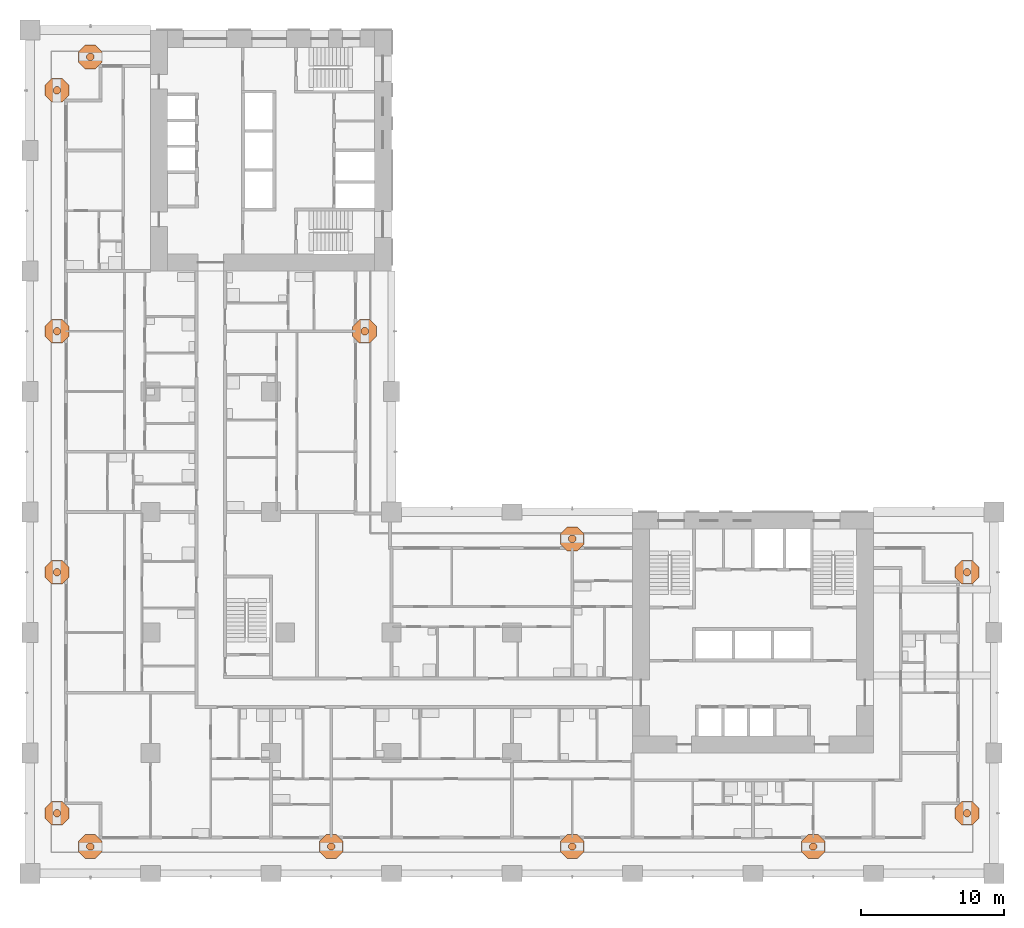
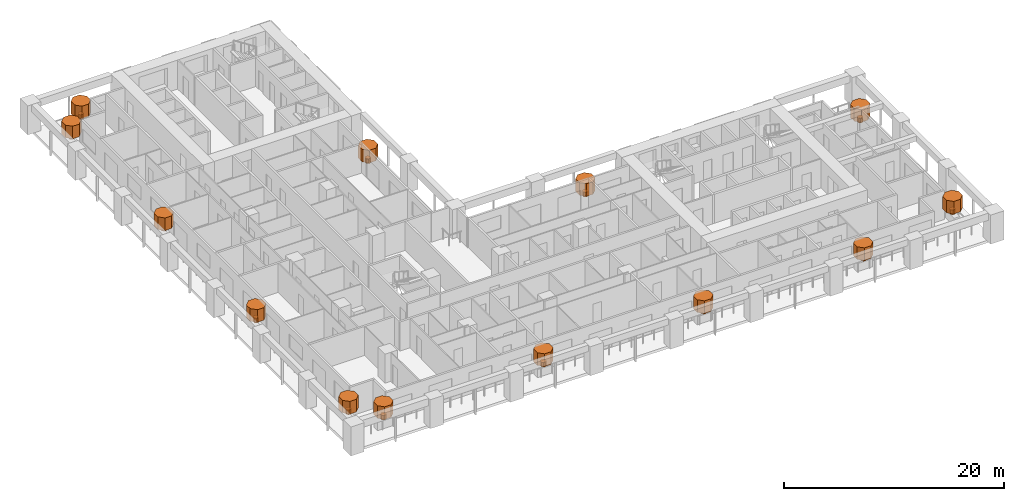
# One storey, part 21 of 21: 26 geographic elements.
"""IFC4 building model written with IfcOpenShell, lengths in metres."""

from ifc_helpers import new_model, si_unit, direction, frame, origin, place, context, subcontext, project, spatial, polyline, outline, extrude, material, element, save


model = new_model("IFC4")

# Units and contexts
model_context = context("Model", 3, precision=1e-05, world=origin(), true_north=direction((0.0, 1.0)))
body_context = subcontext(model_context, "Body", "Model", "MODEL_VIEW")
ifc_project = project(units=[si_unit("LENGTHUNIT", "METRE"), si_unit("AREAUNIT", "SQUARE_METRE"), si_unit("VOLUMEUNIT", "CUBIC_METRE"), si_unit("PLANEANGLEUNIT", "RADIAN"), si_unit("MASSUNIT", "GRAM", prefix="KILO")], contexts=[model_context])

# Site, building, storey
site_placement = place(None, origin())
site = spatial("IfcSite", under=ifc_project, at=site_placement, CompositionType="ELEMENT")
building_placement = place(site_placement, origin())
building = spatial("IfcBuilding", under=site, at=building_placement, Name="Vermilion Gate Residences", CompositionType="ELEMENT")
storey_placement = place(building_placement, frame((0.0, 0.0, 67.199951171875)))
storey = spatial("IfcBuildingStorey", under=building, at=storey_placement, Name="L16", CompositionType="ELEMENT", Elevation=67.199951171875)

# Geographic elements
ifc_material = material(Name="Foliage")
geographic_element_1_placement = place(storey_placement, frame((0.0, 0.0, 0.900146484375)))
element("IfcGeographicElement", 1, at=geographic_element_1_placement, inside=storey, material=ifc_material, Name="Tree (black pine)", ObjectType="TREE", PredefinedType="USERDEFINED", context=body_context, shape_type="SweptSolid", body=[
    extrude(outline(polyline([(4.4541015625, 1.980224609375), (4.30517578125, 2.129150390625), (4.0947265625, 2.129150390625), (3.94580078125, 1.980224609375), (3.94580078125, 1.769775390625), (4.0947265625, 1.620849609375), (4.30517578125, 1.620849609375), (4.4541015625, 1.769775390625), (4.4541015625, 1.980224609375)])), origin(), (0.0, 0.0, 1.0), 0.52001953125),
])
geographic_element_2_placement = place(storey_placement, frame((0.0, 0.0, 1.420166015625)))
element("IfcGeographicElement", 2, at=geographic_element_2_placement, inside=storey, material=ifc_material, Name="Tree crown (black pine)", ObjectType="TREE", PredefinedType="USERDEFINED", context=body_context, shape_type="SweptSolid", body=[
    extrude(outline(polyline([(5.031494140625, 2.219482421875), (4.54443359375, 2.70654296875), (3.855712890625, 2.70654296875), (3.368408203125, 2.219482421875), (3.368408203125, 1.530517578125), (3.855712890625, 1.04345703125), (4.54443359375, 1.04345703125), (5.031494140625, 1.530517578125), (5.031494140625, 2.219482421875)])), origin(), (0.0, 0.0, 1.0), 1.39990234375),
])
geographic_element_3_placement = place(storey_placement, frame((0.0, 0.0, 0.900146484375)))
element("IfcGeographicElement", 3, at=geographic_element_3_placement, inside=storey, material=ifc_material, Name="Tree (maple)", ObjectType="TREE", PredefinedType="USERDEFINED", context=body_context, shape_type="SweptSolid", body=[
    extrude(outline(polyline([(21.254150390625, 1.980224609375), (21.105224609375, 2.129150390625), (20.894775390625, 2.129150390625), (20.745849609375, 1.980224609375), (20.745849609375, 1.769775390625), (20.894775390625, 1.620849609375), (21.105224609375, 1.620849609375), (21.254150390625, 1.769775390625), (21.254150390625, 1.980224609375)])), origin(), (0.0, 0.0, 1.0), 0.52001953125),
])
geographic_element_4_placement = place(storey_placement, frame((0.0, 0.0, 1.420166015625)))
element("IfcGeographicElement", 4, at=geographic_element_4_placement, inside=storey, material=ifc_material, Name="Tree crown (maple)", ObjectType="TREE", PredefinedType="USERDEFINED", context=body_context, shape_type="SweptSolid", body=[
    extrude(outline(polyline([(21.83154296875, 2.219482421875), (21.344482421875, 2.70654296875), (20.655517578125, 2.70654296875), (20.16845703125, 2.219482421875), (20.16845703125, 1.530517578125), (20.655517578125, 1.04345703125), (21.344482421875, 1.04345703125), (21.83154296875, 1.530517578125), (21.83154296875, 2.219482421875)])), origin(), (0.0, 0.0, 1.0), 1.39990234375),
])
geographic_element_5_placement = place(storey_placement, frame((0.0, 0.0, 0.900146484375)))
element("IfcGeographicElement", 5, at=geographic_element_5_placement, inside=storey, material=ifc_material, Name="Tree (black pine)", ObjectType="TREE", PredefinedType="USERDEFINED", context=body_context, shape_type="SweptSolid", body=[
    extrude(outline(polyline([(38.05419921875, 1.980224609375), (37.9052734375, 2.129150390625), (37.69482421875, 2.129150390625), (37.5458984375, 1.980224609375), (37.5458984375, 1.769775390625), (37.69482421875, 1.620849609375), (37.9052734375, 1.620849609375), (38.05419921875, 1.769775390625), (38.05419921875, 1.980224609375)])), origin(), (0.0, 0.0, 1.0), 0.52001953125),
])
geographic_element_6_placement = place(storey_placement, frame((0.0, 0.0, 1.420166015625)))
element("IfcGeographicElement", 6, at=geographic_element_6_placement, inside=storey, material=ifc_material, Name="Tree crown (black pine)", ObjectType="TREE", PredefinedType="USERDEFINED", context=body_context, shape_type="SweptSolid", body=[
    extrude(outline(polyline([(38.631591796875, 2.219482421875), (38.144287109375, 2.70654296875), (37.45556640625, 2.70654296875), (36.968505859375, 2.219482421875), (36.968505859375, 1.530517578125), (37.45556640625, 1.04345703125), (38.144287109375, 1.04345703125), (38.631591796875, 1.530517578125), (38.631591796875, 2.219482421875)])), origin(), (0.0, 0.0, 1.0), 1.39990234375),
])
geographic_element_7_placement = place(storey_placement, frame((0.0, 0.0, 0.900146484375)))
element("IfcGeographicElement", 7, at=geographic_element_7_placement, inside=storey, material=ifc_material, Name="Tree (maple)", ObjectType="TREE", PredefinedType="USERDEFINED", context=body_context, shape_type="SweptSolid", body=[
    extrude(outline(polyline([(54.85400390625, 1.980224609375), (54.705078125, 2.129150390625), (54.494873046875, 2.129150390625), (54.345947265625, 1.980224609375), (54.345947265625, 1.769775390625), (54.494873046875, 1.620849609375), (54.705078125, 1.620849609375), (54.85400390625, 1.769775390625), (54.85400390625, 1.980224609375)])), origin(), (0.0, 0.0, 1.0), 0.52001953125),
])
geographic_element_8_placement = place(storey_placement, frame((0.0, 0.0, 1.420166015625)))
element("IfcGeographicElement", 8, at=geographic_element_8_placement, inside=storey, material=ifc_material, Name="Tree crown (maple)", ObjectType="TREE", PredefinedType="USERDEFINED", context=body_context, shape_type="SweptSolid", body=[
    extrude(outline(polyline([(55.431396484375, 2.219482421875), (54.9443359375, 2.70654296875), (54.255615234375, 2.70654296875), (53.7685546875, 2.219482421875), (53.7685546875, 1.530517578125), (54.255615234375, 1.04345703125), (54.9443359375, 1.04345703125), (55.431396484375, 1.530517578125), (55.431396484375, 2.219482421875)])), origin(), (0.0, 0.0, 1.0), 1.39990234375),
])
geographic_element_9_placement = place(storey_placement, frame((0.0, 0.0, 0.900146484375)))
element("IfcGeographicElement", 9, at=geographic_element_9_placement, inside=storey, material=ifc_material, Name="Tree (black pine)", ObjectType="TREE", PredefinedType="USERDEFINED", context=body_context, shape_type="SweptSolid", body=[
    extrude(outline(polyline([(65.5791015625, 4.30517578125), (65.43017578125, 4.4541015625), (65.2197265625, 4.4541015625), (65.07080078125, 4.30517578125), (65.07080078125, 4.0947265625), (65.2197265625, 3.94580078125), (65.43017578125, 3.94580078125), (65.5791015625, 4.0947265625), (65.5791015625, 4.30517578125)])), origin(), (0.0, 0.0, 1.0), 0.52001953125),
])
geographic_element_10_placement = place(storey_placement, frame((0.0, 0.0, 1.420166015625)))
element("IfcGeographicElement", 10, at=geographic_element_10_placement, inside=storey, material=ifc_material, Name="Tree crown (black pine)", ObjectType="TREE", PredefinedType="USERDEFINED", context=body_context, shape_type="SweptSolid", body=[
    extrude(outline(polyline([(66.156494140625, 4.54443359375), (65.66943359375, 5.031494140625), (64.980712890625, 5.031494140625), (64.493408203125, 4.54443359375), (64.493408203125, 3.855712890625), (64.980712890625, 3.368408203125), (65.66943359375, 3.368408203125), (66.156494140625, 3.855712890625), (66.156494140625, 4.54443359375)])), origin(), (0.0, 0.0, 1.0), 1.39990234375),
])
geographic_element_11_placement = place(storey_placement, frame((0.0, 0.0, 0.900146484375)))
element("IfcGeographicElement", 11, at=geographic_element_11_placement, inside=storey, material=ifc_material, Name="Tree (maple)", ObjectType="TREE", PredefinedType="USERDEFINED", context=body_context, shape_type="SweptSolid", body=[
    extrude(outline(polyline([(65.5791015625, 21.105224609375), (65.43017578125, 21.254150390625), (65.2197265625, 21.254150390625), (65.07080078125, 21.105224609375), (65.07080078125, 20.894775390625), (65.2197265625, 20.745849609375), (65.43017578125, 20.745849609375), (65.5791015625, 20.894775390625), (65.5791015625, 21.105224609375)])), origin(), (0.0, 0.0, 1.0), 0.52001953125),
])
geographic_element_12_placement = place(storey_placement, frame((0.0, 0.0, 1.420166015625)))
element("IfcGeographicElement", 12, at=geographic_element_12_placement, inside=storey, material=ifc_material, Name="Tree crown (maple)", ObjectType="TREE", PredefinedType="USERDEFINED", context=body_context, shape_type="SweptSolid", body=[
    extrude(outline(polyline([(66.156494140625, 21.344482421875), (65.66943359375, 21.83154296875), (64.980712890625, 21.83154296875), (64.493408203125, 21.344482421875), (64.493408203125, 20.655517578125), (64.980712890625, 20.16845703125), (65.66943359375, 20.16845703125), (66.156494140625, 20.655517578125), (66.156494140625, 21.344482421875)])), origin(), (0.0, 0.0, 1.0), 1.39990234375),
])
geographic_element_13_placement = place(storey_placement, frame((0.0, 0.0, 0.900146484375)))
element("IfcGeographicElement", 13, at=geographic_element_13_placement, inside=storey, material=ifc_material, Name="Tree (black pine)", ObjectType="TREE", PredefinedType="USERDEFINED", context=body_context, shape_type="SweptSolid", body=[
    extrude(outline(polyline([(38.05419921875, 23.43017578125), (37.9052734375, 23.5791015625), (37.69482421875, 23.5791015625), (37.5458984375, 23.43017578125), (37.5458984375, 23.2197265625), (37.69482421875, 23.07080078125), (37.9052734375, 23.07080078125), (38.05419921875, 23.2197265625), (38.05419921875, 23.43017578125)])), origin(), (0.0, 0.0, 1.0), 0.52001953125),
])
geographic_element_14_placement = place(storey_placement, frame((0.0, 0.0, 1.420166015625)))
element("IfcGeographicElement", 14, at=geographic_element_14_placement, inside=storey, material=ifc_material, Name="Tree crown (black pine)", ObjectType="TREE", PredefinedType="USERDEFINED", context=body_context, shape_type="SweptSolid", body=[
    extrude(outline(polyline([(38.631591796875, 23.66943359375), (38.144287109375, 24.156494140625), (37.45556640625, 24.156494140625), (36.968505859375, 23.66943359375), (36.968505859375, 22.980712890625), (37.45556640625, 22.493408203125), (38.144287109375, 22.493408203125), (38.631591796875, 22.980712890625), (38.631591796875, 23.66943359375)])), origin(), (0.0, 0.0, 1.0), 1.39990234375),
])
geographic_element_15_placement = place(storey_placement, frame((0.0, 0.0, 0.900146484375)))
element("IfcGeographicElement", 15, at=geographic_element_15_placement, inside=storey, material=ifc_material, Name="Tree (black pine)", ObjectType="TREE", PredefinedType="USERDEFINED", context=body_context, shape_type="SweptSolid", body=[
    extrude(outline(polyline([(23.5791015625, 37.9052734375), (23.43017578125, 38.05419921875), (23.2197265625, 38.05419921875), (23.07080078125, 37.9052734375), (23.07080078125, 37.69482421875), (23.2197265625, 37.5458984375), (23.43017578125, 37.5458984375), (23.5791015625, 37.69482421875), (23.5791015625, 37.9052734375)])), origin(), (0.0, 0.0, 1.0), 0.52001953125),
])
geographic_element_16_placement = place(storey_placement, frame((0.0, 0.0, 1.420166015625)))
element("IfcGeographicElement", 16, at=geographic_element_16_placement, inside=storey, material=ifc_material, Name="Tree crown (black pine)", ObjectType="TREE", PredefinedType="USERDEFINED", context=body_context, shape_type="SweptSolid", body=[
    extrude(outline(polyline([(24.156494140625, 38.144287109375), (23.66943359375, 38.631591796875), (22.980712890625, 38.631591796875), (22.493408203125, 38.144287109375), (22.493408203125, 37.45556640625), (22.980712890625, 36.968505859375), (23.66943359375, 36.968505859375), (24.156494140625, 37.45556640625), (24.156494140625, 38.144287109375)])), origin(), (0.0, 0.0, 1.0), 1.39990234375),
])
geographic_element_17_placement = place(storey_placement, frame((0.0, 0.0, 0.900146484375)))
element("IfcGeographicElement", 17, at=geographic_element_17_placement, inside=storey, material=ifc_material, Name="Tree (black pine)", ObjectType="TREE", PredefinedType="USERDEFINED", context=body_context, shape_type="SweptSolid", body=[
    extrude(outline(polyline([(4.4541015625, 57.0302734375), (4.30517578125, 57.17919921875), (4.0947265625, 57.17919921875), (3.94580078125, 57.0302734375), (3.94580078125, 56.81982421875), (4.0947265625, 56.6708984375), (4.30517578125, 56.6708984375), (4.4541015625, 56.81982421875), (4.4541015625, 57.0302734375)])), origin(), (0.0, 0.0, 1.0), 0.52001953125),
])
geographic_element_18_placement = place(storey_placement, frame((0.0, 0.0, 1.420166015625)))
element("IfcGeographicElement", 18, at=geographic_element_18_placement, inside=storey, material=ifc_material, Name="Tree crown (black pine)", ObjectType="TREE", PredefinedType="USERDEFINED", context=body_context, shape_type="SweptSolid", body=[
    extrude(outline(polyline([(5.031494140625, 57.269287109375), (4.54443359375, 57.756591796875), (3.855712890625, 57.756591796875), (3.368408203125, 57.269287109375), (3.368408203125, 56.58056640625), (3.855712890625, 56.093505859375), (4.54443359375, 56.093505859375), (5.031494140625, 56.58056640625), (5.031494140625, 57.269287109375)])), origin(), (0.0, 0.0, 1.0), 1.39990234375),
])
geographic_element_19_placement = place(storey_placement, frame((0.0, 0.0, 0.900146484375)))
element("IfcGeographicElement", 19, at=geographic_element_19_placement, inside=storey, material=ifc_material, Name="Tree (black pine)", ObjectType="TREE", PredefinedType="USERDEFINED", context=body_context, shape_type="SweptSolid", body=[
    extrude(outline(polyline([(2.129150390625, 4.30517578125), (1.980224609375, 4.4541015625), (1.769775390625, 4.4541015625), (1.620849609375, 4.30517578125), (1.620849609375, 4.0947265625), (1.769775390625, 3.94580078125), (1.980224609375, 3.94580078125), (2.129150390625, 4.0947265625), (2.129150390625, 4.30517578125)])), origin(), (0.0, 0.0, 1.0), 0.52001953125),
])
geographic_element_20_placement = place(storey_placement, frame((0.0, 0.0, 1.420166015625)))
element("IfcGeographicElement", 20, at=geographic_element_20_placement, inside=storey, material=ifc_material, Name="Tree crown (black pine)", ObjectType="TREE", PredefinedType="USERDEFINED", context=body_context, shape_type="SweptSolid", body=[
    extrude(outline(polyline([(2.70654296875, 4.54443359375), (2.219482421875, 5.031494140625), (1.530517578125, 5.031494140625), (1.04345703125, 4.54443359375), (1.04345703125, 3.855712890625), (1.530517578125, 3.368408203125), (2.219482421875, 3.368408203125), (2.70654296875, 3.855712890625), (2.70654296875, 4.54443359375)])), origin(), (0.0, 0.0, 1.0), 1.39990234375),
])
geographic_element_21_placement = place(storey_placement, frame((0.0, 0.0, 0.900146484375)))
element("IfcGeographicElement", 21, at=geographic_element_21_placement, inside=storey, material=ifc_material, Name="Tree (maple)", ObjectType="TREE", PredefinedType="USERDEFINED", context=body_context, shape_type="SweptSolid", body=[
    extrude(outline(polyline([(2.129150390625, 21.105224609375), (1.980224609375, 21.254150390625), (1.769775390625, 21.254150390625), (1.620849609375, 21.105224609375), (1.620849609375, 20.894775390625), (1.769775390625, 20.745849609375), (1.980224609375, 20.745849609375), (2.129150390625, 20.894775390625), (2.129150390625, 21.105224609375)])), origin(), (0.0, 0.0, 1.0), 0.52001953125),
])
geographic_element_22_placement = place(storey_placement, frame((0.0, 0.0, 1.420166015625)))
element("IfcGeographicElement", 22, at=geographic_element_22_placement, inside=storey, material=ifc_material, Name="Tree crown (maple)", ObjectType="TREE", PredefinedType="USERDEFINED", context=body_context, shape_type="SweptSolid", body=[
    extrude(outline(polyline([(2.70654296875, 21.344482421875), (2.219482421875, 21.83154296875), (1.530517578125, 21.83154296875), (1.04345703125, 21.344482421875), (1.04345703125, 20.655517578125), (1.530517578125, 20.16845703125), (2.219482421875, 20.16845703125), (2.70654296875, 20.655517578125), (2.70654296875, 21.344482421875)])), origin(), (0.0, 0.0, 1.0), 1.39990234375),
])
geographic_element_23_placement = place(storey_placement, frame((0.0, 0.0, 0.900146484375)))
element("IfcGeographicElement", 23, at=geographic_element_23_placement, inside=storey, material=ifc_material, Name="Tree (black pine)", ObjectType="TREE", PredefinedType="USERDEFINED", context=body_context, shape_type="SweptSolid", body=[
    extrude(outline(polyline([(2.129150390625, 37.9052734375), (1.980224609375, 38.05419921875), (1.769775390625, 38.05419921875), (1.620849609375, 37.9052734375), (1.620849609375, 37.69482421875), (1.769775390625, 37.5458984375), (1.980224609375, 37.5458984375), (2.129150390625, 37.69482421875), (2.129150390625, 37.9052734375)])), origin(), (0.0, 0.0, 1.0), 0.52001953125),
])
geographic_element_24_placement = place(storey_placement, frame((0.0, 0.0, 1.420166015625)))
element("IfcGeographicElement", 24, at=geographic_element_24_placement, inside=storey, material=ifc_material, Name="Tree crown (black pine)", ObjectType="TREE", PredefinedType="USERDEFINED", context=body_context, shape_type="SweptSolid", body=[
    extrude(outline(polyline([(2.70654296875, 38.144287109375), (2.219482421875, 38.631591796875), (1.530517578125, 38.631591796875), (1.04345703125, 38.144287109375), (1.04345703125, 37.45556640625), (1.530517578125, 36.968505859375), (2.219482421875, 36.968505859375), (2.70654296875, 37.45556640625), (2.70654296875, 38.144287109375)])), origin(), (0.0, 0.0, 1.0), 1.39990234375),
])
geographic_element_25_placement = place(storey_placement, frame((0.0, 0.0, 0.900146484375)))
element("IfcGeographicElement", 25, at=geographic_element_25_placement, inside=storey, material=ifc_material, Name="Tree (maple)", ObjectType="TREE", PredefinedType="USERDEFINED", context=body_context, shape_type="SweptSolid", body=[
    extrude(outline(polyline([(2.129150390625, 54.705078125), (1.980224609375, 54.85400390625), (1.769775390625, 54.85400390625), (1.620849609375, 54.705078125), (1.620849609375, 54.494873046875), (1.769775390625, 54.345947265625), (1.980224609375, 54.345947265625), (2.129150390625, 54.494873046875), (2.129150390625, 54.705078125)])), origin(), (0.0, 0.0, 1.0), 0.52001953125),
])
geographic_element_26_placement = place(storey_placement, frame((0.0, 0.0, 1.420166015625)))
element("IfcGeographicElement", 26, at=geographic_element_26_placement, inside=storey, material=ifc_material, Name="Tree crown (maple)", ObjectType="TREE", PredefinedType="USERDEFINED", context=body_context, shape_type="SweptSolid", body=[
    extrude(outline(polyline([(2.70654296875, 54.9443359375), (2.219482421875, 55.431396484375), (1.530517578125, 55.431396484375), (1.04345703125, 54.9443359375), (1.04345703125, 54.255615234375), (1.530517578125, 53.7685546875), (2.219482421875, 53.7685546875), (2.70654296875, 54.255615234375), (2.70654296875, 54.9443359375)])), origin(), (0.0, 0.0, 1.0), 1.39990234375),
])

save(model, "model.ifc")
